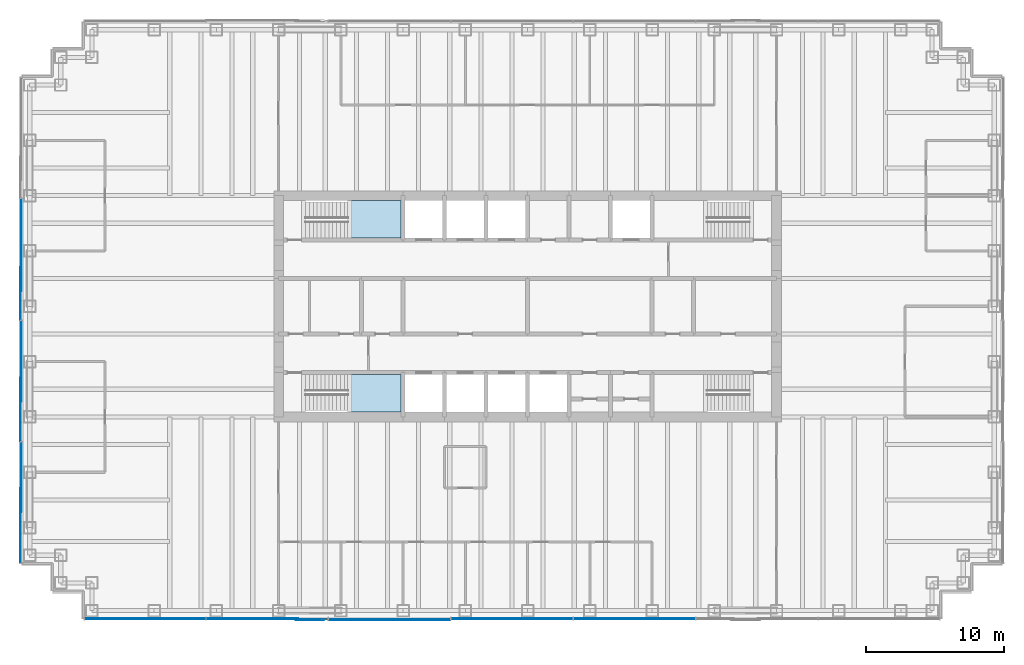
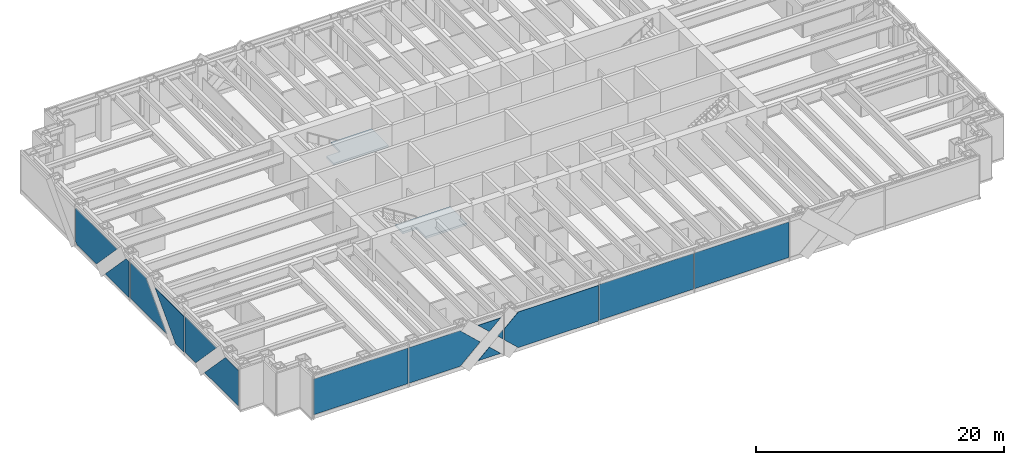
# One storey, part 10 of 17: 14 plates, 2 slabs, 4 elements without a shape of their own.
"""IFC4 building model written with IfcOpenShell, lengths in metres."""

from ifc_helpers import new_model, si_unit, direction, frame, origin, origin_2d, place, context, subcontext, project, spatial, polyline, rectangle, outline, extrude, material, layer, layer_set, type_object, element, aggregate, save


model = new_model("IFC4")

# Units and contexts
model_context = context("Model", 3, precision=1e-05, world=origin(), true_north=direction((0.0, 1.0)))
body_context = subcontext(model_context, "Body", "Model", "MODEL_VIEW")
ifc_project = project(units=[si_unit("LENGTHUNIT", "METRE"), si_unit("AREAUNIT", "SQUARE_METRE"), si_unit("VOLUMEUNIT", "CUBIC_METRE"), si_unit("PLANEANGLEUNIT", "RADIAN"), si_unit("MASSUNIT", "GRAM", prefix="KILO")], contexts=[model_context])

# Site, building, storey
site_placement = place(None, origin())
site = spatial("IfcSite", under=ifc_project, at=site_placement, CompositionType="ELEMENT")
building_placement = place(site_placement, origin())
building = spatial("IfcBuilding", under=site, at=building_placement, Name="Rheinbord Bourse Tower", CompositionType="ELEMENT")
storey_placement = place(building_placement, frame((0.0, 0.0, 287.89990234375)))
storey = spatial("IfcBuildingStorey", under=building, at=storey_placement, Name="L65", CompositionType="ELEMENT", Elevation=287.89990234375)

# Curtain wall, plates
ifc_material_1 = material(Name="Dark glass and black aluminium", Category="aluminium")
curtain_wall_type = type_object("IfcCurtainWallType", Name="CW3 DARK GLASS CURTAIN WALL", PredefinedType="USERDEFINED", material=ifc_material_1)
curtain_wall_1_placement = place(storey_placement, origin())
curtain_wall_1 = element("IfcCurtainWall", 1, at=curtain_wall_1_placement, inside=storey, type_object=curtain_wall_type, Name="Curtain wall CW3 S L65", ObjectType="UNITISED CURTAIN WALL", PredefinedType="USERDEFINED")
ifc_material_2 = material(Name="Dark tinted triple insulating glass", Category="glass")
ifc_layer_1 = layer(ifc_material_2, 0.055908203125)
ifc_layer_set_1 = layer_set([ifc_layer_1], Name="CW3 DARK GLASS PANEL")
plate_type = type_object("IfcPlateType", Name="CW3 DARK GLASS PANEL", PredefinedType="CURTAIN_PANEL", material=ifc_layer_set_1)
plate_1_placement = place(storey_placement, frame((8.34130859375, 1.39990234375, 0.35009765625), z_axis=(0.0, 0.0, 1.0), x_axis=(1.0, 0.0, 0.0)))
plate_1 = element("IfcPlate", 2, at=plate_1_placement, type_object=plate_type, Name="CW3 panel 1.1", PredefinedType="CURTAIN_PANEL", context=body_context, shape_type="SweptSolid", body=[
    extrude(rectangle(XDim=8.75244140625, YDim=0.055908203125, at=origin_2d()), origin(), (0.0, 0.0, 1.0), 3.5),
])
plate_2_placement = place(storey_placement, frame((34.875, 1.39990234375, 0.35009765625), z_axis=(0.0, 0.0, 1.0), x_axis=(1.0, 0.0, 0.0)))
plate_2 = element("IfcPlate", 3, at=plate_2_placement, type_object=plate_type, Name="CW3 panel 4.1", PredefinedType="CURTAIN_PANEL", context=body_context, shape_type="SweptSolid", body=[
    extrude(rectangle(XDim=8.784912109375, YDim=0.055908203125, at=origin_2d()), origin(), (0.0, 0.0, 1.0), 3.5),
])
plate_3_placement = place(storey_placement, frame((43.72509765625, 1.39990234375, 0.35009765625), z_axis=(0.0, 0.0, 1.0), x_axis=(1.0, 0.0, 0.0)))
plate_3 = element("IfcPlate", 4, at=plate_3_placement, type_object=plate_type, Name="CW3 panel 5.1", PredefinedType="CURTAIN_PANEL", context=body_context, shape_type="SweptSolid", body=[
    extrude(rectangle(XDim=8.784912109375, YDim=0.055908203125, at=origin_2d()), origin(), (0.0, 0.0, 1.0), 3.5),
])
plate_4_placement = place(storey_placement, frame((12.782958984375, 1.3720703125, 0.35009765625), z_axis=(0.0, 1.0, 0.0), x_axis=(0.0, 0.0, 1.0)))
plate_4 = element("IfcPlate", 5, at=plate_4_placement, type_object=plate_type, Name="CW3 glass facet 1", PredefinedType="CURTAIN_PANEL", context=body_context, shape_type="SweptSolid", body=[
    extrude(outline(polyline([(0.0, 0.0), (3.5, 0.0), (3.5, 4.780029296875), (1.75, 6.655029296875), (0.0, 4.780029296875), (0.0, 0.0)])), origin(), (0.0, 0.0, 1.0), 0.055908203125),
])
plate_5_placement = place(storey_placement, frame((19.18701171875, 1.31103515625, 0.35009765625), z_axis=(0.0, 1.0, 0.0), x_axis=(0.731116689111, 0.0, 0.682252436348)))
plate_5 = element("IfcPlate", 6, at=plate_5_placement, type_object=plate_type, Name="CW3 glass facet 2", PredefinedType="CURTAIN_PANEL", context=body_context, shape_type="SweptSolid", body=[
    extrude(outline(polyline([(0.0, 0.0), (1.453857421875, 0.0), (1.554443359375, 1.450439453125), (0.0, 0.0)])), origin(), (0.0, 0.0, 1.0), 0.055908203125),
])
plate_6_placement = place(storey_placement, frame((21.31298828125, 1.31103515625, 3.85009765625), z_axis=(0.0, 1.0, 0.0), x_axis=(-0.731116689111, 0.0, -0.682252436348)))
plate_6 = element("IfcPlate", 7, at=plate_6_placement, type_object=plate_type, Name="CW3 glass facet 3", PredefinedType="CURTAIN_PANEL", context=body_context, shape_type="SweptSolid", body=[
    extrude(outline(polyline([(0.0, 0.0), (1.453857421875, 0.0), (1.554443359375, 1.450439453125), (0.0, 0.0)])), origin(), (0.0, 0.0, 1.0), 0.055908203125),
])
plate_7_placement = place(storey_placement, frame((21.56689453125, 1.3720703125, 1.628173828125), z_axis=(0.0, 1.0, 0.0), x_axis=(-0.730549925572, 0.0, 0.682859287297)))
plate_7 = element("IfcPlate", 8, at=plate_7_placement, type_object=plate_type, Name="CW3 glass facet 4", PredefinedType="CURTAIN_PANEL", context=body_context, shape_type="SweptSolid", body=[
    extrude(outline(polyline([(0.0, 0.0), (0.691162109375, 0.0), (0.64453125, 0.689453125), (0.0, 0.0)])), origin(), (0.0, 0.0, 1.0), 0.055908203125),
])
plate_8_placement = place(storey_placement, frame((30.4169921875, 1.31103515625, 3.85009765625), z_axis=(0.0, 1.0, 0.0), x_axis=(0.0, 0.0, -1.0)))
plate_8 = element("IfcPlate", 9, at=plate_8_placement, type_object=plate_type, Name="CW3 glass facet 1", PredefinedType="CURTAIN_PANEL", context=body_context, shape_type="SweptSolid", body=[
    extrude(outline(polyline([(0.0, 0.0), (3.5, 0.0), (3.5, 7.47998046875), (2.282958984375, 8.783935546875), (1.217041015625, 8.783935546875), (0.0, 7.47998046875), (0.0, 0.0)])), origin(), (0.0, 0.0, 1.0), 0.055908203125),
])
aggregate(curtain_wall_1, [plate_1, plate_2, plate_3, plate_4, plate_5, plate_6, plate_7, plate_8])

curtain_wall_2_placement = place(storey_placement, origin())
curtain_wall_2 = element("IfcCurtainWall", 10, at=curtain_wall_2_placement, inside=storey, type_object=curtain_wall_type, Name="Curtain wall CW3 W L65", ObjectType="UNITISED CURTAIN WALL", PredefinedType="USERDEFINED")
plate_9_placement = place(storey_placement, frame((-0.6279296875, 31.568115234375, 0.35009765625), z_axis=(1.0, 0.0, 0.0), x_axis=(0.0, 0.689549531699, 0.724238526546)))
plate_9 = element("IfcPlate", 11, at=plate_9_placement, type_object=plate_type, Name="CW3 glass facet 1", PredefinedType="CURTAIN_PANEL", context=body_context, shape_type="SweptSolid", body=[
    extrude(outline(polyline([(0.0, 0.0), (0.28857421875, 0.0), (2.672119140625, 2.269287109375), (-1.9267578125, 7.099365234375), (-2.16259765625, 2.271484375), (0.0, 0.0)])), origin(), (0.0, 0.0, 1.0), 0.055908203125),
])
plate_10_placement = place(storey_placement, frame((-0.68896484375, 23.031982421875, 3.85009765625), z_axis=(1.0, 0.0, 0.0), x_axis=(0.0, 0.0, -1.0)))
plate_10 = element("IfcPlate", 12, at=plate_10_placement, type_object=plate_type, Name="CW3 glass facet 2", PredefinedType="CURTAIN_PANEL", context=body_context, shape_type="SweptSolid", body=[
    extrude(outline(polyline([(0.0, 0.0), (3.5, 0.0), (3.5, 3.8701171875), (0.0, 0.5361328125), (0.0, 0.0)])), origin(), (0.0, 0.0, 1.0), 0.055908203125),
])
plate_11_placement = place(storey_placement, frame((-0.6279296875, 22.968017578125, 0.35009765625), z_axis=(1.0, 0.0, 0.0), x_axis=(0.0, 0.0, 1.0)))
plate_11 = element("IfcPlate", 13, at=plate_11_placement, type_object=plate_type, Name="CW3 glass facet 1", PredefinedType="CURTAIN_PANEL", context=body_context, shape_type="SweptSolid", body=[
    extrude(outline(polyline([(0.0, 0.0), (3.5, 0.0), (3.5, 2.5361328125), (0.0, 5.8701171875), (0.0, 0.0)])), origin(), (0.0, 0.0, 1.0), 0.055908203125),
])
plate_12_placement = place(storey_placement, frame((-0.68896484375, 14.23291015625, 3.85009765625), z_axis=(1.0, 0.0, 0.0), x_axis=(0.0, 0.0, -1.0)))
plate_12 = element("IfcPlate", 14, at=plate_12_placement, type_object=plate_type, Name="CW3 glass facet 2", PredefinedType="CURTAIN_PANEL", context=body_context, shape_type="SweptSolid", body=[
    extrude(outline(polyline([(0.0, 0.0), (3.5, 0.0), (3.5, 1.335205078125), (0.0, 4.669189453125), (0.0, 0.0)])), origin(), (0.0, 0.0, 1.0), 0.055908203125),
])
plate_13_placement = place(storey_placement, frame((-0.6279296875, 14.1669921875, 0.35009765625), z_axis=(1.0, 0.0, 0.0), x_axis=(0.0, 0.0, 1.0)))
plate_13 = element("IfcPlate", 15, at=plate_13_placement, type_object=plate_type, Name="CW3 glass facet 1", PredefinedType="CURTAIN_PANEL", context=body_context, shape_type="SweptSolid", body=[
    extrude(outline(polyline([(0.0, 0.0), (3.5, 0.0), (3.5, 5.069091796875), (0.0, 1.735107421875), (0.0, 0.0)])), origin(), (0.0, 0.0, 1.0), 0.055908203125),
])
plate_14_placement = place(storey_placement, frame((-0.68896484375, 5.465087890625, 3.85009765625), z_axis=(1.0, 0.0, 0.0), x_axis=(0.0, 0.0, -1.0)))
plate_14 = element("IfcPlate", 16, at=plate_14_placement, type_object=plate_type, Name="CW3 glass facet 2", PredefinedType="CURTAIN_PANEL", context=body_context, shape_type="SweptSolid", body=[
    extrude(outline(polyline([(0.0, 0.0), (3.5, 0.0), (3.5, 5.43701171875), (0.0, 2.10302734375), (0.0, 0.0)])), origin(), (0.0, 0.0, 1.0), 0.055908203125),
])
aggregate(curtain_wall_2, [plate_9, plate_10, plate_11, plate_12, plate_13, plate_14])

# Stair, slab
ifc_material_3 = material(Name="Concrete C30/37", Category="concrete")
stair_type = type_object("IfcStairType", Name="CORE STAIR HALF TURN 4200", PredefinedType="HALF_TURN_STAIR", material=ifc_material_3)
stair_1_placement = place(storey_placement, origin())
stair_1 = element("IfcStair", 17, at=stair_1_placement, inside=storey, type_object=stair_type, Name="Stair ST1 L65, type CS6", PredefinedType="HALF_TURN_STAIR")
ifc_material_4 = material(Name="Concrete C30/37", Category="concrete")
ifc_layer_2 = layer(ifc_material_4, 0.199951171875)
ifc_layer_set_2 = layer_set([ifc_layer_2], Name="STAIR LANDING 200")
slab_type = type_object("IfcSlabType", Name="STAIR LANDING 200", PredefinedType="LANDING", material=ifc_layer_set_2)
slab_1_placement = place(storey_placement, frame((0.0, 0.0, 1.900146484375)))
slab_1 = element("IfcSlab", 18, at=slab_1_placement, type_object=slab_type, Name="Half landing ST1 L65", PredefinedType="LANDING", context=body_context, shape_type="SweptSolid", body=[
    extrude(outline(polyline([(23.030029296875, 16.35009765625), (26.85009765625, 16.35009765625), (26.85009765625, 19.050048828125), (21.748046875, 19.050048828125), (21.748046875, 17.85009765625), (23.030029296875, 17.85009765625), (23.030029296875, 16.35009765625)])), origin(), (0.0, 0.0, 1.0), 0.199951171875),
])
aggregate(stair_1, [slab_1])

stair_2_placement = place(storey_placement, origin())
stair_2 = element("IfcStair", 19, at=stair_2_placement, inside=storey, type_object=stair_type, Name="Stair ST2 L65, type CS6", PredefinedType="HALF_TURN_STAIR")
slab_2_placement = place(storey_placement, frame((0.0, 0.0, 1.900146484375)))
slab_2 = element("IfcSlab", 20, at=slab_2_placement, type_object=slab_type, Name="Half landing ST2 L65", PredefinedType="LANDING", context=body_context, shape_type="SweptSolid", body=[
    extrude(outline(polyline([(21.748046875, 28.949951171875), (26.85009765625, 28.949951171875), (26.85009765625, 31.64990234375), (23.030029296875, 31.64990234375), (23.030029296875, 30.14990234375), (21.748046875, 30.14990234375), (21.748046875, 28.949951171875)])), origin(), (0.0, 0.0, 1.0), 0.199951171875),
])
aggregate(stair_2, [slab_2])

save(model, "model.ifc")
